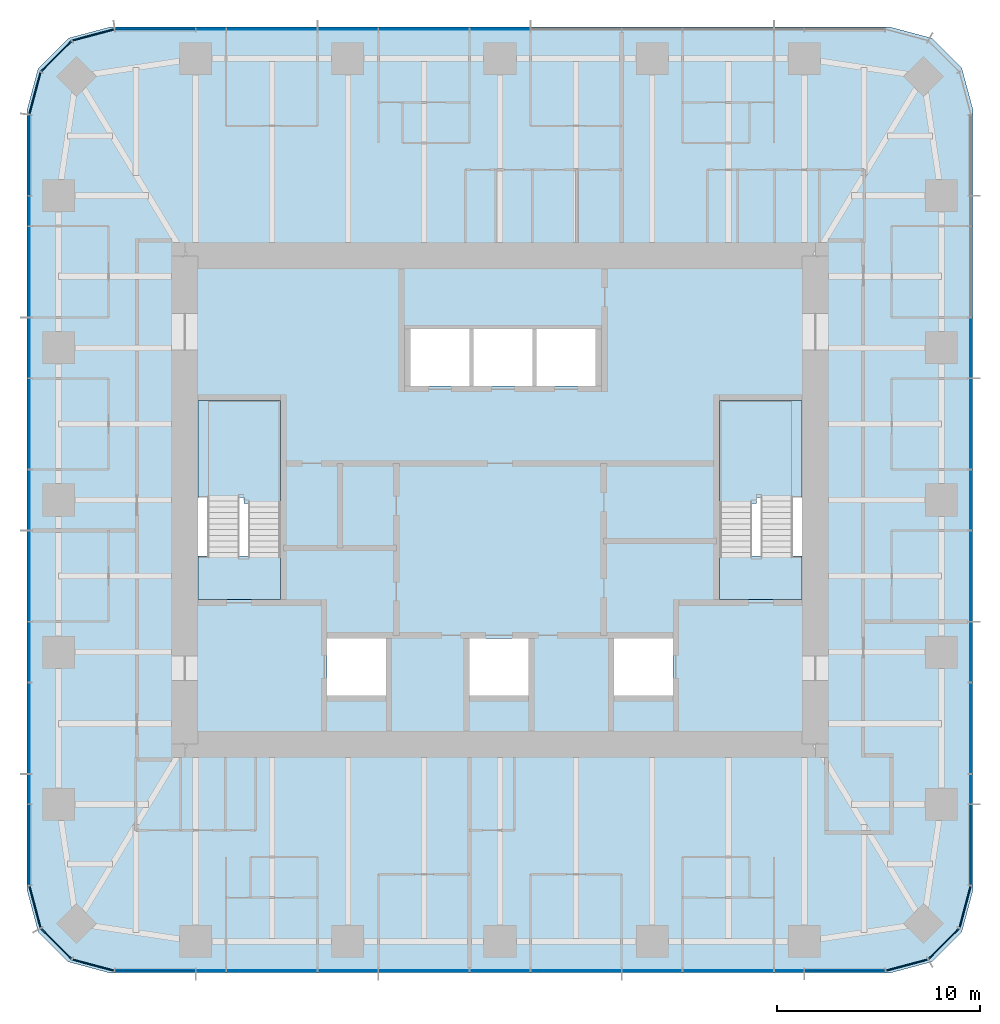
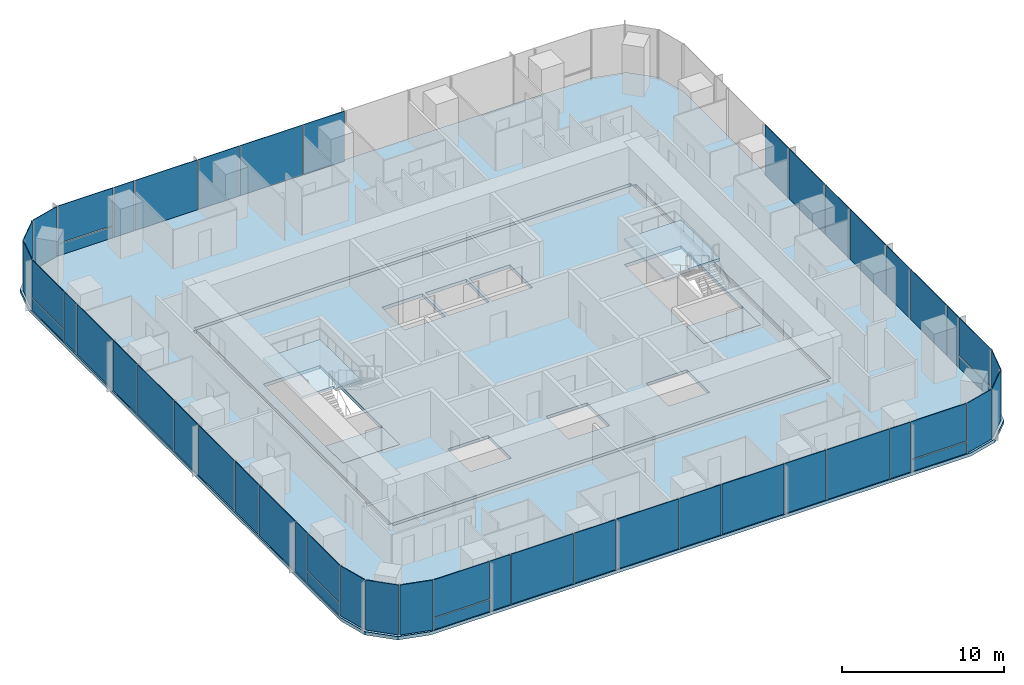
# One storey, part 7 of 12: 51 plates, 6 slabs, 9 elements without a shape of their own.
"""IFC4 building model written with IfcOpenShell, lengths in metres."""

from ifc_helpers import new_model, si_unit, direction, frame, origin, origin_2d, place, context, subcontext, project, spatial, polyline, rectangle, outline, extrude, material, layer, layer_set, type_object, element, aggregate, save


model = new_model("IFC4")

# Units and contexts
model_context = context("Model", 3, precision=1e-05, world=origin(), true_north=direction((0.0, 1.0)))
body_context = subcontext(model_context, "Body", "Model", "MODEL_VIEW")
ifc_project = project(units=[si_unit("LENGTHUNIT", "METRE"), si_unit("AREAUNIT", "SQUARE_METRE"), si_unit("VOLUMEUNIT", "CUBIC_METRE"), si_unit("PLANEANGLEUNIT", "RADIAN"), si_unit("MASSUNIT", "GRAM", prefix="KILO")], contexts=[model_context])

# Site, building, storey
site_placement = place(None, origin())
site = spatial("IfcSite", under=ifc_project, at=site_placement, CompositionType="ELEMENT")
building_placement = place(site_placement, origin())
building = spatial("IfcBuilding", under=site, at=building_placement, Name="Khuree Lantern Residences", CompositionType="ELEMENT")
storey_placement = place(building_placement, frame((0.0, 0.0, 330.75)))
storey = spatial("IfcBuildingStorey", under=building, at=storey_placement, Name="L83", CompositionType="ELEMENT", Elevation=330.75)

# Slab
ifc_material_1 = material(Name="Concrete C35/45", Category="concrete")
ifc_layer_1 = layer(ifc_material_1, 0.25)
ifc_layer_set_1 = layer_set([ifc_layer_1], Name="CFL250 CORE FLOOR SLAB 250")
slab_type_1 = type_object("IfcSlabType", Name="CFL250 CORE FLOOR SLAB 250", PredefinedType="FLOOR", material=ifc_layer_set_1)
slab_1_placement = place(storey_placement, frame((0.0, 0.0, -0.25)))
element("IfcSlab", 1, at=slab_1_placement, inside=storey, type_object=slab_type_1, Name="Core floor L83", PredefinedType="FLOOR", context=body_context, shape_type="SweptSolid", body=[
    extrude(outline(polyline([(-15.5, -12.0), (-15.5, 12.0), (15.5, 12.0), (15.5, -12.0), (-15.5, -12.0)]), holes=[polyline([(10.800048828125, 4.89990234375), (10.800048828125, -4.89990234375), (14.85009765625, -4.89990234375), (14.85009765625, 4.89990234375), (10.800048828125, 4.89990234375)]), polyline([(5.60009765625, -6.800048828125), (5.60009765625, -9.60009765625), (8.5, -9.60009765625), (8.5, -6.800048828125), (5.60009765625, -6.800048828125)]), polyline([(1.800048828125, 8.39990234375), (1.800048828125, 5.60009765625), (4.699951171875, 5.60009765625), (4.699951171875, 8.39990234375), (1.800048828125, 8.39990234375)]), polyline([(-1.300048828125, 8.39990234375), (-1.300048828125, 5.60009765625), (1.60009765625, 5.60009765625), (1.60009765625, 8.39990234375), (-1.300048828125, 8.39990234375)]), polyline([(-1.5, -6.800048828125), (-1.5, -9.60009765625), (1.39990234375, -9.60009765625), (1.39990234375, -6.800048828125), (-1.5, -6.800048828125)]), polyline([(-4.39990234375, 8.39990234375), (-4.39990234375, 5.60009765625), (-1.5, 5.60009765625), (-1.5, 8.39990234375), (-4.39990234375, 8.39990234375)]), polyline([(-8.5, -6.800048828125), (-8.5, -9.60009765625), (-5.60009765625, -9.60009765625), (-5.60009765625, -6.800048828125), (-8.5, -6.800048828125)]), polyline([(-14.85009765625, 4.89990234375), (-14.85009765625, -4.89990234375), (-10.800048828125, -4.89990234375), (-10.800048828125, 4.89990234375), (-14.85009765625, 4.89990234375)])]), origin(), (0.0, 0.0, 1.0), 0.25),
])

# Curtain wall, plates
ifc_material_2 = material(Name="Bronze anodised aluminium", Category="aluminium")
curtain_wall_type_1 = type_object("IfcCurtainWallType", Name="CW-T2 TOWER CORNER CURTAIN WALL", PredefinedType="USERDEFINED", material=ifc_material_2)
curtain_wall_1_placement = place(storey_placement, origin())
curtain_wall_1 = element("IfcCurtainWall", 2, at=curtain_wall_1_placement, inside=storey, type_object=curtain_wall_type_1, Name="L83 SOUTH-EAST CORNER CURTAIN WALL", ObjectType="Faceted corner curtain wall", PredefinedType="USERDEFINED")
ifc_material_3 = material(Name="Bronze tinted triple glazing", Category="glass")
ifc_layer_2 = layer(ifc_material_3, 0.048095703125)
ifc_layer_set_2 = layer_set([ifc_layer_2], Name="FACET PANEL P4")
plate_type_1 = type_object("IfcPlateType", Name="FACET PANEL P4", PredefinedType="CURTAIN_PANEL", material=ifc_layer_set_2)
plate_1_placement = place(storey_placement, frame((19.998046875, -22.869140625, 0.0), z_axis=(0.0, 0.0, 1.0), x_axis=(0.965925861257, 0.2588189146, 0.0)))
plate_1 = element("IfcPlate", 3, at=plate_1_placement, type_object=plate_type_1, Name="L83 SOUTH-EAST CORNER PANEL 1.1", PredefinedType="CURTAIN_PANEL", context=body_context, shape_type="SweptSolid", body=[
    extrude(rectangle(XDim=2.09814453125, YDim=0.048095703125, at=origin_2d()), origin(), (0.0, 0.0, 1.0), 3.75),
])
plate_2_placement = place(storey_placement, frame((21.818603515625, -21.818603515625, 0.0), z_axis=(0.0, 0.0, 1.0), x_axis=(0.707106781187, 0.707106781187, 0.0)))
plate_2 = element("IfcPlate", 4, at=plate_2_placement, type_object=plate_type_1, Name="L83 SOUTH-EAST CORNER PANEL 2.1", PredefinedType="CURTAIN_PANEL", context=body_context, shape_type="SweptSolid", body=[
    extrude(rectangle(XDim=2.093994140625, YDim=0.048095703125, at=origin_2d()), origin(), (0.0, 0.0, 1.0), 3.75),
])
plate_3_placement = place(storey_placement, frame((22.869140625, -19.998046875, 0.0), z_axis=(0.0, 0.0, 1.0), x_axis=(0.2588189146, 0.965925861257, 0.0)))
plate_3 = element("IfcPlate", 5, at=plate_3_placement, type_object=plate_type_1, Name="L83 SOUTH-EAST CORNER PANEL 3.1", PredefinedType="CURTAIN_PANEL", context=body_context, shape_type="SweptSolid", body=[
    extrude(rectangle(XDim=2.09814453125, YDim=0.048095703125, at=origin_2d()), origin(), (0.0, 0.0, 1.0), 3.75),
])
aggregate(curtain_wall_1, [plate_1, plate_2, plate_3])

curtain_wall_2_placement = place(storey_placement, origin())
curtain_wall_2 = element("IfcCurtainWall", 6, at=curtain_wall_2_placement, inside=storey, type_object=curtain_wall_type_1, Name="L83 NORTH-WEST CORNER CURTAIN WALL", ObjectType="Faceted corner curtain wall", PredefinedType="USERDEFINED")
plate_4_placement = place(storey_placement, frame((-19.998046875, 22.869140625, 0.0), z_axis=(0.0, 0.0, 1.0), x_axis=(-0.965925861257, -0.2588189146, 0.0)))
plate_4 = element("IfcPlate", 7, at=plate_4_placement, type_object=plate_type_1, Name="L83 NORTH-WEST CORNER PANEL 29.1", PredefinedType="CURTAIN_PANEL", context=body_context, shape_type="SweptSolid", body=[
    extrude(rectangle(XDim=2.09814453125, YDim=0.048095703125, at=origin_2d()), origin(), (0.0, 0.0, 1.0), 3.75),
])
plate_5_placement = place(storey_placement, frame((-21.818603515625, 21.818603515625, 0.0), z_axis=(0.0, 0.0, 1.0), x_axis=(-0.707106781187, -0.707106781187, 0.0)))
plate_5 = element("IfcPlate", 8, at=plate_5_placement, type_object=plate_type_1, Name="L83 NORTH-WEST CORNER PANEL 30.1", PredefinedType="CURTAIN_PANEL", context=body_context, shape_type="SweptSolid", body=[
    extrude(rectangle(XDim=2.093994140625, YDim=0.048095703125, at=origin_2d()), origin(), (0.0, 0.0, 1.0), 3.75),
])
plate_6_placement = place(storey_placement, frame((-22.869140625, 19.998046875, 0.0), z_axis=(0.0, 0.0, 1.0), x_axis=(-0.2588189146, -0.965925861257, 0.0)))
plate_6 = element("IfcPlate", 9, at=plate_6_placement, type_object=plate_type_1, Name="L83 NORTH-WEST CORNER PANEL 31.1", PredefinedType="CURTAIN_PANEL", context=body_context, shape_type="SweptSolid", body=[
    extrude(rectangle(XDim=2.09814453125, YDim=0.048095703125, at=origin_2d()), origin(), (0.0, 0.0, 1.0), 3.75),
])
aggregate(curtain_wall_2, [plate_4, plate_5, plate_6])

curtain_wall_3_placement = place(storey_placement, origin())
curtain_wall_3 = element("IfcCurtainWall", 10, at=curtain_wall_3_placement, inside=storey, type_object=curtain_wall_type_1, Name="L83 SOUTH-WEST CORNER CURTAIN WALL", ObjectType="Faceted corner curtain wall", PredefinedType="USERDEFINED")
plate_7_placement = place(storey_placement, frame((-22.869140625, -19.998046875, 0.0), z_axis=(0.0, 0.0, 1.0), x_axis=(0.2588189146, -0.965925861257, 0.0)))
plate_7 = element("IfcPlate", 11, at=plate_7_placement, type_object=plate_type_1, Name="L83 SOUTH-WEST CORNER PANEL 43.1", PredefinedType="CURTAIN_PANEL", context=body_context, shape_type="SweptSolid", body=[
    extrude(rectangle(XDim=2.09814453125, YDim=0.048095703125, at=origin_2d()), origin(), (0.0, 0.0, 1.0), 3.75),
])
plate_8_placement = place(storey_placement, frame((-21.818603515625, -21.818603515625, 0.0), z_axis=(0.0, 0.0, 1.0), x_axis=(0.707106781187, -0.707106781187, 0.0)))
plate_8 = element("IfcPlate", 12, at=plate_8_placement, type_object=plate_type_1, Name="L83 SOUTH-WEST CORNER PANEL 44.1", PredefinedType="CURTAIN_PANEL", context=body_context, shape_type="SweptSolid", body=[
    extrude(rectangle(XDim=2.093994140625, YDim=0.048095703125, at=origin_2d()), origin(), (0.0, 0.0, 1.0), 3.75),
])
plate_9_placement = place(storey_placement, frame((-19.998046875, -22.869140625, 0.0), z_axis=(0.0, 0.0, 1.0), x_axis=(0.965925861257, -0.2588189146, 0.0)))
plate_9 = element("IfcPlate", 13, at=plate_9_placement, type_object=plate_type_1, Name="L83 SOUTH-WEST CORNER PANEL 45.1", PredefinedType="CURTAIN_PANEL", context=body_context, shape_type="SweptSolid", body=[
    extrude(rectangle(XDim=2.09814453125, YDim=0.048095703125, at=origin_2d()), origin(), (0.0, 0.0, 1.0), 3.75),
])
aggregate(curtain_wall_3, [plate_7, plate_8, plate_9])

curtain_wall_type_2 = type_object("IfcCurtainWallType", Name="CW-T1 TOWER FACE CURTAIN WALL", PredefinedType="USERDEFINED", material=ifc_material_2)
curtain_wall_4_placement = place(storey_placement, origin())
curtain_wall_4 = element("IfcCurtainWall", 14, at=curtain_wall_4_placement, inside=storey, type_object=curtain_wall_type_2, Name="L83 EAST FACE CURTAIN WALL", ObjectType="Stick-built curtain wall", PredefinedType="USERDEFINED")
ifc_material_4 = material(Name="Bronze tinted triple glazing with a ceramic-fritted spandrel band", Category="glass")
ifc_layer_3 = layer(ifc_material_4, 0.048095703125)
ifc_layer_set_3 = layer_set([ifc_layer_3], Name="FIXED LIGHT PANEL P11")
plate_type_2 = type_object("IfcPlateType", Name="FIXED LIGHT PANEL P11", PredefinedType="CURTAIN_PANEL", material=ifc_layer_set_3)
plate_10_placement = place(storey_placement, frame((23.14990234375, -11.219970703125, 0.0), z_axis=(0.0, 0.0, 1.0), x_axis=(0.0, 1.0, 0.0)))
plate_10 = element("IfcPlate", 15, at=plate_10_placement, type_object=plate_type_2, Name="L83 EAST FACE PANEL 6.1", PredefinedType="CURTAIN_PANEL", context=body_context, shape_type="SweptSolid", body=[
    extrude(rectangle(XDim=4.423095703125, YDim=0.048095703125, at=origin_2d()), origin(), (0.0, 0.0, 1.0), 3.75),
])
plate_11_placement = place(storey_placement, frame((23.14990234375, -3.739990234375, 0.0), z_axis=(0.0, 0.0, 1.0), x_axis=(0.0, 1.0, 0.0)))
plate_11 = element("IfcPlate", 16, at=plate_11_placement, type_object=plate_type_2, Name="L83 EAST FACE PANEL 8.1", PredefinedType="CURTAIN_PANEL", context=body_context, shape_type="SweptSolid", body=[
    extrude(rectangle(XDim=4.423095703125, YDim=0.048095703125, at=origin_2d()), origin(), (0.0, 0.0, 1.0), 3.75),
])
plate_12_placement = place(storey_placement, frame((23.14990234375, 3.739990234375, 0.0), z_axis=(0.0, 0.0, 1.0), x_axis=(0.0, 1.0, 0.0)))
plate_12 = element("IfcPlate", 17, at=plate_12_placement, type_object=plate_type_2, Name="L83 EAST FACE PANEL 10.1", PredefinedType="CURTAIN_PANEL", context=body_context, shape_type="SweptSolid", body=[
    extrude(rectangle(XDim=4.423095703125, YDim=0.048095703125, at=origin_2d()), origin(), (0.0, 0.0, 1.0), 3.75),
])

curtain_wall_5_placement = place(storey_placement, origin())
curtain_wall_5 = element("IfcCurtainWall", 18, at=curtain_wall_5_placement, inside=storey, type_object=curtain_wall_type_2, Name="L83 NORTH FACE CURTAIN WALL", ObjectType="Stick-built curtain wall", PredefinedType="USERDEFINED")
plate_13_placement = place(storey_placement, frame((-3.739990234375, 23.14990234375, 0.0), z_axis=(0.0, 0.0, 1.0), x_axis=(-1.0, 0.0, 0.0)))
plate_13 = element("IfcPlate", 19, at=plate_13_placement, type_object=plate_type_2, Name="L83 NORTH FACE PANEL 24.1", PredefinedType="CURTAIN_PANEL", context=body_context, shape_type="SweptSolid", body=[
    extrude(rectangle(XDim=4.423095703125, YDim=0.048095703125, at=origin_2d()), origin(), (0.0, 0.0, 1.0), 3.75),
])
plate_14_placement = place(storey_placement, frame((-11.219970703125, 23.14990234375, 0.0), z_axis=(0.0, 0.0, 1.0), x_axis=(-1.0, 0.0, 0.0)))
plate_14 = element("IfcPlate", 20, at=plate_14_placement, type_object=plate_type_2, Name="L83 NORTH FACE PANEL 26.1", PredefinedType="CURTAIN_PANEL", context=body_context, shape_type="SweptSolid", body=[
    extrude(rectangle(XDim=4.423095703125, YDim=0.048095703125, at=origin_2d()), origin(), (0.0, 0.0, 1.0), 3.75),
])

curtain_wall_6_placement = place(storey_placement, origin())
curtain_wall_6 = element("IfcCurtainWall", 21, at=curtain_wall_6_placement, inside=storey, type_object=curtain_wall_type_2, Name="L83 WEST FACE CURTAIN WALL", ObjectType="Stick-built curtain wall", PredefinedType="USERDEFINED")
plate_15_placement = place(storey_placement, frame((-23.14990234375, 11.219970703125, 0.0), z_axis=(0.0, 0.0, 1.0), x_axis=(0.0, -1.0, 0.0)))
plate_15 = element("IfcPlate", 22, at=plate_15_placement, type_object=plate_type_2, Name="L83 WEST FACE PANEL 34.1", PredefinedType="CURTAIN_PANEL", context=body_context, shape_type="SweptSolid", body=[
    extrude(rectangle(XDim=4.423095703125, YDim=0.048095703125, at=origin_2d()), origin(), (0.0, 0.0, 1.0), 3.75),
])
plate_16_placement = place(storey_placement, frame((-23.14990234375, 3.739990234375, 0.0), z_axis=(0.0, 0.0, 1.0), x_axis=(0.0, -1.0, 0.0)))
plate_16 = element("IfcPlate", 23, at=plate_16_placement, type_object=plate_type_2, Name="L83 WEST FACE PANEL 36.1", PredefinedType="CURTAIN_PANEL", context=body_context, shape_type="SweptSolid", body=[
    extrude(rectangle(XDim=4.423095703125, YDim=0.048095703125, at=origin_2d()), origin(), (0.0, 0.0, 1.0), 3.75),
])
plate_17_placement = place(storey_placement, frame((-23.14990234375, -3.739990234375, 0.0), z_axis=(0.0, 0.0, 1.0), x_axis=(0.0, -1.0, 0.0)))
plate_17 = element("IfcPlate", 24, at=plate_17_placement, type_object=plate_type_2, Name="L83 WEST FACE PANEL 38.1", PredefinedType="CURTAIN_PANEL", context=body_context, shape_type="SweptSolid", body=[
    extrude(rectangle(XDim=4.423095703125, YDim=0.048095703125, at=origin_2d()), origin(), (0.0, 0.0, 1.0), 3.75),
])
plate_18_placement = place(storey_placement, frame((-23.14990234375, -11.219970703125, 0.0), z_axis=(0.0, 0.0, 1.0), x_axis=(0.0, -1.0, 0.0)))
plate_18 = element("IfcPlate", 25, at=plate_18_placement, type_object=plate_type_2, Name="L83 WEST FACE PANEL 40.1", PredefinedType="CURTAIN_PANEL", context=body_context, shape_type="SweptSolid", body=[
    extrude(rectangle(XDim=4.423095703125, YDim=0.048095703125, at=origin_2d()), origin(), (0.0, 0.0, 1.0), 3.75),
])

curtain_wall_7_placement = place(storey_placement, origin())
curtain_wall_7 = element("IfcCurtainWall", 26, at=curtain_wall_7_placement, inside=storey, type_object=curtain_wall_type_2, Name="L83 SOUTH FACE CURTAIN WALL", ObjectType="Stick-built curtain wall", PredefinedType="USERDEFINED")
plate_19_placement = place(storey_placement, frame((-11.219970703125, -23.14990234375, 0.0), z_axis=(0.0, 0.0, 1.0), x_axis=(1.0, 0.0, 0.0)))
plate_19 = element("IfcPlate", 27, at=plate_19_placement, type_object=plate_type_2, Name="L83 SOUTH FACE PANEL 48.1", PredefinedType="CURTAIN_PANEL", context=body_context, shape_type="SweptSolid", body=[
    extrude(rectangle(XDim=4.423095703125, YDim=0.048095703125, at=origin_2d()), origin(), (0.0, 0.0, 1.0), 3.75),
])
plate_20_placement = place(storey_placement, frame((-3.739990234375, -23.14990234375, 0.0), z_axis=(0.0, 0.0, 1.0), x_axis=(1.0, 0.0, 0.0)))
plate_20 = element("IfcPlate", 28, at=plate_20_placement, type_object=plate_type_2, Name="L83 SOUTH FACE PANEL 50.1", PredefinedType="CURTAIN_PANEL", context=body_context, shape_type="SweptSolid", body=[
    extrude(rectangle(XDim=4.423095703125, YDim=0.048095703125, at=origin_2d()), origin(), (0.0, 0.0, 1.0), 3.75),
])
plate_21_placement = place(storey_placement, frame((3.739990234375, -23.14990234375, 0.0), z_axis=(0.0, 0.0, 1.0), x_axis=(1.0, 0.0, 0.0)))
plate_21 = element("IfcPlate", 29, at=plate_21_placement, type_object=plate_type_2, Name="L83 SOUTH FACE PANEL 52.1", PredefinedType="CURTAIN_PANEL", context=body_context, shape_type="SweptSolid", body=[
    extrude(rectangle(XDim=4.423095703125, YDim=0.048095703125, at=origin_2d()), origin(), (0.0, 0.0, 1.0), 3.75),
])
plate_22_placement = place(storey_placement, frame((11.219970703125, -23.14990234375, 0.0), z_axis=(0.0, 0.0, 1.0), x_axis=(1.0, 0.0, 0.0)))
plate_22 = element("IfcPlate", 30, at=plate_22_placement, type_object=plate_type_2, Name="L83 SOUTH FACE PANEL 54.1", PredefinedType="CURTAIN_PANEL", context=body_context, shape_type="SweptSolid", body=[
    extrude(rectangle(XDim=4.423095703125, YDim=0.048095703125, at=origin_2d()), origin(), (0.0, 0.0, 1.0), 3.75),
])

# Slab
ifc_layer_4 = layer(ifc_material_1, 0.25)
ifc_layer_set_4 = layer_set([ifc_layer_4], Name="FS250 FLOOR SLAB 250")
slab_type_2 = type_object("IfcSlabType", Name="FS250 FLOOR SLAB 250", PredefinedType="FLOOR", material=ifc_layer_set_4)
slab_2_placement = place(storey_placement, frame((0.0, 0.0, -0.25)))
element("IfcSlab", 31, at=slab_2_placement, inside=storey, type_object=slab_type_2, Name="Floor slab L83", PredefinedType="FLOOR", context=body_context, shape_type="SweptSolid", body=[
    extrude(outline(polyline([(-21.22509765625, -22.70751953125), (-22.70751953125, -21.22509765625), (-23.25, -19.199951171875), (-23.25, 19.199951171875), (-22.70751953125, 21.22509765625), (-21.22509765625, 22.70751953125), (-19.199951171875, 23.25), (19.199951171875, 23.25), (21.22509765625, 22.70751953125), (22.70751953125, 21.22509765625), (23.25, 19.199951171875), (23.25, -19.199951171875), (22.70751953125, -21.22509765625), (21.22509765625, -22.70751953125), (19.199951171875, -23.25), (-19.199951171875, -23.25), (-21.22509765625, -22.70751953125)]), holes=[polyline([(15.75, 12.0), (15.5, 12.0), (15.5, 12.25), (-15.5, 12.25), (-15.5, 12.0), (-15.75, 12.0), (-15.75, -12.0), (-15.5, -12.0), (-15.5, -12.25), (15.5, -12.25), (15.5, -12.0), (15.75, -12.0), (15.75, 12.0)])]), origin(), (0.0, 0.0, 1.0), 0.25),
])

# Plate
ifc_material_5 = material(Name="Bronze tinted triple glazing, two aluminium-framed sashes in one frame", Category="aluminium")
ifc_layer_5 = layer(ifc_material_5, 0.048095703125)
ifc_layer_set_5 = layer_set([ifc_layer_5], Name="SASH PAIR PANEL P12")
plate_type_3 = type_object("IfcPlateType", Name="SASH PAIR PANEL P12", PredefinedType="CURTAIN_PANEL", material=ifc_layer_set_5)
plate_23_placement = place(storey_placement, frame((23.14990234375, -7.47998046875, 0.0), z_axis=(0.0, 0.0, 1.0), x_axis=(0.0, 1.0, 0.0)))
plate_23 = element("IfcPlate", 32, at=plate_23_placement, type_object=plate_type_3, Name="L83 EAST FACE PANEL 7.1", PredefinedType="CURTAIN_PANEL", context=body_context, shape_type="SweptSolid", body=[
    extrude(rectangle(XDim=2.927001953125, YDim=0.048095703125, at=origin_2d()), origin(), (0.0, 0.0, 1.0), 3.75),
])

plate_24_placement = place(storey_placement, frame((23.14990234375, 0.0, 0.0), z_axis=(0.0, 0.0, 1.0), x_axis=(0.0, 1.0, 0.0)))
plate_24 = element("IfcPlate", 33, at=plate_24_placement, type_object=plate_type_3, Name="L83 EAST FACE PANEL 9.1", PredefinedType="CURTAIN_PANEL", context=body_context, shape_type="SweptSolid", body=[
    extrude(rectangle(XDim=2.927001953125, YDim=0.048095703125, at=origin_2d()), origin(), (0.0, 0.0, 1.0), 3.75),
])

plate_25_placement = place(storey_placement, frame((23.14990234375, 7.47998046875, 0.0), z_axis=(0.0, 0.0, 1.0), x_axis=(0.0, 1.0, 0.0)))
plate_25 = element("IfcPlate", 34, at=plate_25_placement, type_object=plate_type_3, Name="L83 EAST FACE PANEL 11.1", PredefinedType="CURTAIN_PANEL", context=body_context, shape_type="SweptSolid", body=[
    extrude(rectangle(XDim=2.927001953125, YDim=0.048095703125, at=origin_2d()), origin(), (0.0, 0.0, 1.0), 3.75),
])

plate_26_placement = place(storey_placement, frame((0.0, 23.14990234375, 0.0), z_axis=(0.0, 0.0, 1.0), x_axis=(-1.0, 0.0, 0.0)))
plate_26 = element("IfcPlate", 35, at=plate_26_placement, type_object=plate_type_3, Name="L83 NORTH FACE PANEL 23.1", PredefinedType="CURTAIN_PANEL", context=body_context, shape_type="SweptSolid", body=[
    extrude(rectangle(XDim=2.927001953125, YDim=0.048095703125, at=origin_2d()), origin(), (0.0, 0.0, 1.0), 3.75),
])

plate_27_placement = place(storey_placement, frame((-7.47998046875, 23.14990234375, 0.0), z_axis=(0.0, 0.0, 1.0), x_axis=(-1.0, 0.0, 0.0)))
plate_27 = element("IfcPlate", 36, at=plate_27_placement, type_object=plate_type_3, Name="L83 NORTH FACE PANEL 25.1", PredefinedType="CURTAIN_PANEL", context=body_context, shape_type="SweptSolid", body=[
    extrude(rectangle(XDim=2.927001953125, YDim=0.048095703125, at=origin_2d()), origin(), (0.0, 0.0, 1.0), 3.75),
])

plate_28_placement = place(storey_placement, frame((-23.14990234375, 7.47998046875, 0.0), z_axis=(0.0, 0.0, 1.0), x_axis=(0.0, -1.0, 0.0)))
plate_28 = element("IfcPlate", 37, at=plate_28_placement, type_object=plate_type_3, Name="L83 WEST FACE PANEL 35.1", PredefinedType="CURTAIN_PANEL", context=body_context, shape_type="SweptSolid", body=[
    extrude(rectangle(XDim=2.927001953125, YDim=0.048095703125, at=origin_2d()), origin(), (0.0, 0.0, 1.0), 3.75),
])

plate_29_placement = place(storey_placement, frame((-23.14990234375, 0.0, 0.0), z_axis=(0.0, 0.0, 1.0), x_axis=(0.0, -1.0, 0.0)))
plate_29 = element("IfcPlate", 38, at=plate_29_placement, type_object=plate_type_3, Name="L83 WEST FACE PANEL 37.1", PredefinedType="CURTAIN_PANEL", context=body_context, shape_type="SweptSolid", body=[
    extrude(rectangle(XDim=2.927001953125, YDim=0.048095703125, at=origin_2d()), origin(), (0.0, 0.0, 1.0), 3.75),
])

plate_30_placement = place(storey_placement, frame((-23.14990234375, -7.47998046875, 0.0), z_axis=(0.0, 0.0, 1.0), x_axis=(0.0, -1.0, 0.0)))
plate_30 = element("IfcPlate", 39, at=plate_30_placement, type_object=plate_type_3, Name="L83 WEST FACE PANEL 39.1", PredefinedType="CURTAIN_PANEL", context=body_context, shape_type="SweptSolid", body=[
    extrude(rectangle(XDim=2.927001953125, YDim=0.048095703125, at=origin_2d()), origin(), (0.0, 0.0, 1.0), 3.75),
])

plate_31_placement = place(storey_placement, frame((-7.47998046875, -23.14990234375, 0.0), z_axis=(0.0, 0.0, 1.0), x_axis=(1.0, 0.0, 0.0)))
plate_31 = element("IfcPlate", 40, at=plate_31_placement, type_object=plate_type_3, Name="L83 SOUTH FACE PANEL 49.1", PredefinedType="CURTAIN_PANEL", context=body_context, shape_type="SweptSolid", body=[
    extrude(rectangle(XDim=2.927001953125, YDim=0.048095703125, at=origin_2d()), origin(), (0.0, 0.0, 1.0), 3.75),
])

plate_32_placement = place(storey_placement, frame((0.0, -23.14990234375, 0.0), z_axis=(0.0, 0.0, 1.0), x_axis=(1.0, 0.0, 0.0)))
plate_32 = element("IfcPlate", 41, at=plate_32_placement, type_object=plate_type_3, Name="L83 SOUTH FACE PANEL 51.1", PredefinedType="CURTAIN_PANEL", context=body_context, shape_type="SweptSolid", body=[
    extrude(rectangle(XDim=2.927001953125, YDim=0.048095703125, at=origin_2d()), origin(), (0.0, 0.0, 1.0), 3.75),
])

plate_33_placement = place(storey_placement, frame((7.47998046875, -23.14990234375, 0.0), z_axis=(0.0, 0.0, 1.0), x_axis=(1.0, 0.0, 0.0)))
plate_33 = element("IfcPlate", 42, at=plate_33_placement, type_object=plate_type_3, Name="L83 SOUTH FACE PANEL 53.1", PredefinedType="CURTAIN_PANEL", context=body_context, shape_type="SweptSolid", body=[
    extrude(rectangle(XDim=2.927001953125, YDim=0.048095703125, at=origin_2d()), origin(), (0.0, 0.0, 1.0), 3.75),
])

ifc_material_6 = material(Name="Bronze tinted triple glazing, aluminium-framed sash", Category="aluminium")
ifc_layer_6 = layer(ifc_material_6, 0.048095703125)
ifc_layer_set_6 = layer_set([ifc_layer_6], Name="SASH PANEL P3")
plate_type_4 = type_object("IfcPlateType", Name="SASH PANEL P3", PredefinedType="CURTAIN_PANEL", material=ifc_layer_set_6)
plate_34_placement = place(storey_placement, frame((23.14990234375, -14.2119140625, 0.0), z_axis=(0.0, 0.0, 1.0), x_axis=(0.0, 1.0, 0.0)))
plate_34 = element("IfcPlate", 43, at=plate_34_placement, type_object=plate_type_4, Name="L83 EAST FACE PANEL 5.1", PredefinedType="CURTAIN_PANEL", context=body_context, shape_type="SweptSolid", body=[
    extrude(rectangle(XDim=1.430908203125, YDim=0.048095703125, at=origin_2d()), origin(), (0.0, 0.0, 1.0), 3.75),
])

plate_35_placement = place(storey_placement, frame((-14.2119140625, 23.14990234375, 0.0), z_axis=(0.0, 0.0, 1.0), x_axis=(-1.0, 0.0, 0.0)))
plate_35 = element("IfcPlate", 44, at=plate_35_placement, type_object=plate_type_4, Name="L83 NORTH FACE PANEL 27.1", PredefinedType="CURTAIN_PANEL", context=body_context, shape_type="SweptSolid", body=[
    extrude(rectangle(XDim=1.430908203125, YDim=0.048095703125, at=origin_2d()), origin(), (0.0, 0.0, 1.0), 3.75),
])

plate_36_placement = place(storey_placement, frame((-23.14990234375, 14.2119140625, 0.0), z_axis=(0.0, 0.0, 1.0), x_axis=(0.0, -1.0, 0.0)))
plate_36 = element("IfcPlate", 45, at=plate_36_placement, type_object=plate_type_4, Name="L83 WEST FACE PANEL 33.1", PredefinedType="CURTAIN_PANEL", context=body_context, shape_type="SweptSolid", body=[
    extrude(rectangle(XDim=1.430908203125, YDim=0.048095703125, at=origin_2d()), origin(), (0.0, 0.0, 1.0), 3.75),
])

plate_37_placement = place(storey_placement, frame((-23.14990234375, -14.2119140625, 0.0), z_axis=(0.0, 0.0, 1.0), x_axis=(0.0, -1.0, 0.0)))
plate_37 = element("IfcPlate", 46, at=plate_37_placement, type_object=plate_type_4, Name="L83 WEST FACE PANEL 41.1", PredefinedType="CURTAIN_PANEL", context=body_context, shape_type="SweptSolid", body=[
    extrude(rectangle(XDim=1.430908203125, YDim=0.048095703125, at=origin_2d()), origin(), (0.0, 0.0, 1.0), 3.75),
])

plate_38_placement = place(storey_placement, frame((-14.2119140625, -23.14990234375, 0.0), z_axis=(0.0, 0.0, 1.0), x_axis=(1.0, 0.0, 0.0)))
plate_38 = element("IfcPlate", 47, at=plate_38_placement, type_object=plate_type_4, Name="L83 SOUTH FACE PANEL 47.1", PredefinedType="CURTAIN_PANEL", context=body_context, shape_type="SweptSolid", body=[
    extrude(rectangle(XDim=1.430908203125, YDim=0.048095703125, at=origin_2d()), origin(), (0.0, 0.0, 1.0), 3.75),
])

plate_39_placement = place(storey_placement, frame((14.2119140625, -23.14990234375, 0.0), z_axis=(0.0, 0.0, 1.0), x_axis=(1.0, 0.0, 0.0)))
plate_39 = element("IfcPlate", 48, at=plate_39_placement, type_object=plate_type_4, Name="L83 SOUTH FACE PANEL 55.1", PredefinedType="CURTAIN_PANEL", context=body_context, shape_type="SweptSolid", body=[
    extrude(rectangle(XDim=1.430908203125, YDim=0.048095703125, at=origin_2d()), origin(), (0.0, 0.0, 1.0), 3.75),
])

ifc_material_7 = material(Name="Bronze anodised aluminium insulated spandrel", Category="aluminium")
ifc_layer_7 = layer(ifc_material_7, 0.06005859375)
ifc_layer_set_7 = layer_set([ifc_layer_7], Name="SPANDREL PANEL P2")
plate_type_5 = type_object("IfcPlateType", Name="SPANDREL PANEL P2", PredefinedType="CURTAIN_PANEL", material=ifc_layer_set_7)
plate_40_placement = place(storey_placement, frame((23.14990234375, -16.952880859375, 0.0), z_axis=(0.0, 0.0, 1.0), x_axis=(0.0, 1.0, 0.0)))
plate_40 = element("IfcPlate", 49, at=plate_40_placement, type_object=plate_type_5, Name="L83 EAST FACE PANEL 4.1", PredefinedType="CURTAIN_PANEL", context=body_context, shape_type="SweptSolid", body=[
    extrude(rectangle(XDim=3.920654296875, YDim=0.06005859375, at=origin_2d()), origin(), (0.0, 0.0, 1.0), 0.867431640625),
])

plate_41_placement = place(storey_placement, frame((-16.952880859375, 23.14990234375, 0.0), z_axis=(0.0, 0.0, 1.0), x_axis=(-1.0, 0.0, 0.0)))
plate_41 = element("IfcPlate", 50, at=plate_41_placement, type_object=plate_type_5, Name="L83 NORTH FACE PANEL 28.1", PredefinedType="CURTAIN_PANEL", context=body_context, shape_type="SweptSolid", body=[
    extrude(rectangle(XDim=3.920654296875, YDim=0.06005859375, at=origin_2d()), origin(), (0.0, 0.0, 1.0), 0.867431640625),
])

plate_42_placement = place(storey_placement, frame((-23.14990234375, 16.952880859375, 0.0), z_axis=(0.0, 0.0, 1.0), x_axis=(0.0, -1.0, 0.0)))
plate_42 = element("IfcPlate", 51, at=plate_42_placement, type_object=plate_type_5, Name="L83 WEST FACE PANEL 32.1", PredefinedType="CURTAIN_PANEL", context=body_context, shape_type="SweptSolid", body=[
    extrude(rectangle(XDim=3.920654296875, YDim=0.06005859375, at=origin_2d()), origin(), (0.0, 0.0, 1.0), 0.867431640625),
])

plate_43_placement = place(storey_placement, frame((-23.14990234375, -16.952880859375, 0.0), z_axis=(0.0, 0.0, 1.0), x_axis=(0.0, -1.0, 0.0)))
plate_43 = element("IfcPlate", 52, at=plate_43_placement, type_object=plate_type_5, Name="L83 WEST FACE PANEL 42.1", PredefinedType="CURTAIN_PANEL", context=body_context, shape_type="SweptSolid", body=[
    extrude(rectangle(XDim=3.920654296875, YDim=0.06005859375, at=origin_2d()), origin(), (0.0, 0.0, 1.0), 0.867431640625),
])

plate_44_placement = place(storey_placement, frame((-16.952880859375, -23.14990234375, 0.0), z_axis=(0.0, 0.0, 1.0), x_axis=(1.0, 0.0, 0.0)))
plate_44 = element("IfcPlate", 53, at=plate_44_placement, type_object=plate_type_5, Name="L83 SOUTH FACE PANEL 46.1", PredefinedType="CURTAIN_PANEL", context=body_context, shape_type="SweptSolid", body=[
    extrude(rectangle(XDim=3.920654296875, YDim=0.06005859375, at=origin_2d()), origin(), (0.0, 0.0, 1.0), 0.867431640625),
])

plate_45_placement = place(storey_placement, frame((16.952880859375, -23.14990234375, 0.0), z_axis=(0.0, 0.0, 1.0), x_axis=(1.0, 0.0, 0.0)))
plate_45 = element("IfcPlate", 54, at=plate_45_placement, type_object=plate_type_5, Name="L83 SOUTH FACE PANEL 56.1", PredefinedType="CURTAIN_PANEL", context=body_context, shape_type="SweptSolid", body=[
    extrude(rectangle(XDim=3.920654296875, YDim=0.06005859375, at=origin_2d()), origin(), (0.0, 0.0, 1.0), 0.867431640625),
])

# Stair, slabs
ifc_material_8 = material(Name="Concrete C40/50", Category="concrete")
stair_type = type_object("IfcStairType", Name="STAIR ST1 HALF TURN 3600", PredefinedType="HALF_TURN_STAIR", material=ifc_material_8)
stair_1_placement = place(storey_placement, origin())
stair_1 = element("IfcStair", 55, at=stair_1_placement, inside=storey, type_object=stair_type, Name="Stair ST1", PredefinedType="HALF_TURN_STAIR")
ifc_layer_8 = layer(ifc_material_8, 0.199951171875)
ifc_layer_set_8 = layer_set([ifc_layer_8], Name="STAIR LANDING SL1 200")
slab_type_3 = type_object("IfcSlabType", Name="STAIR LANDING SL1 200", PredefinedType="LANDING", material=ifc_layer_set_8)
slab_3_placement = place(storey_placement, frame((0.0, 0.0, -0.199951171875)))
slab_3 = element("IfcSlab", 56, at=slab_3_placement, type_object=slab_type_3, Name="ST1 landing 1", PredefinedType="LANDING", context=body_context, shape_type="SweptSolid", body=[
    extrude(outline(polyline([(-14.85009765625, -4.89990234375), (-10.800048828125, -4.89990234375), (-10.800048828125, -2.760009765625), (-14.85009765625, -2.760009765625), (-14.85009765625, -4.89990234375)])), origin(), (0.0, 0.0, 1.0), 0.199951171875),
])
slab_4_placement = place(storey_placement, frame((0.0, 0.0, 1.756591796875)))
slab_4 = element("IfcSlab", 57, at=slab_4_placement, type_object=slab_type_3, Name="ST1 landing 2", PredefinedType="LANDING", context=body_context, shape_type="SweptSolid", body=[
    extrude(outline(polyline([(-14.85009765625, 0.1201171875), (-14.85009765625, 4.89990234375), (-10.800048828125, 4.89990234375), (-10.800048828125, -0.159912109375), (-12.60009765625, -0.159912109375), (-12.60009765625, 0.1201171875), (-14.85009765625, 0.1201171875)])), origin(), (0.0, 0.0, 1.0), 0.199951171875),
])
aggregate(stair_1, [slab_3, slab_4])

stair_2_placement = place(storey_placement, origin())
stair_2 = element("IfcStair", 58, at=stair_2_placement, inside=storey, type_object=stair_type, Name="Stair ST2", PredefinedType="HALF_TURN_STAIR")
slab_5_placement = place(storey_placement, frame((0.0, 0.0, -0.199951171875)))
slab_5 = element("IfcSlab", 59, at=slab_5_placement, type_object=slab_type_3, Name="ST2 landing 1", PredefinedType="LANDING", context=body_context, shape_type="SweptSolid", body=[
    extrude(outline(polyline([(10.800048828125, -4.89990234375), (14.85009765625, -4.89990234375), (14.85009765625, -2.760009765625), (10.800048828125, -2.760009765625), (10.800048828125, -4.89990234375)])), origin(), (0.0, 0.0, 1.0), 0.199951171875),
])
slab_6_placement = place(storey_placement, frame((0.0, 0.0, 1.756591796875)))
slab_6 = element("IfcSlab", 60, at=slab_6_placement, type_object=slab_type_3, Name="ST2 landing 2", PredefinedType="LANDING", context=body_context, shape_type="SweptSolid", body=[
    extrude(outline(polyline([(14.85009765625, 4.89990234375), (14.85009765625, 0.1201171875), (12.60009765625, 0.1201171875), (12.60009765625, -0.159912109375), (10.800048828125, -0.159912109375), (10.800048828125, 4.89990234375), (14.85009765625, 4.89990234375)])), origin(), (0.0, 0.0, 1.0), 0.199951171875),
])
aggregate(stair_2, [slab_5, slab_6])

# Plate
ifc_layer_9 = layer(ifc_material_3, 0.048095703125)
ifc_layer_set_9 = layer_set([ifc_layer_9], Name="VISION PANEL P1")
plate_type_6 = type_object("IfcPlateType", Name="VISION PANEL P1", PredefinedType="CURTAIN_PANEL", material=ifc_layer_set_9)
plate_46_placement = place(storey_placement, frame((23.14990234375, -16.953369140625, 0.9326171875), z_axis=(0.0, 0.0, 1.0), x_axis=(0.0, 1.0, 0.0)))
plate_46 = element("IfcPlate", 61, at=plate_46_placement, type_object=plate_type_6, Name="L83 EAST FACE PANEL 4.2", PredefinedType="CURTAIN_PANEL", context=body_context, shape_type="SweptSolid", body=[
    extrude(rectangle(XDim=3.921630859375, YDim=0.048095703125, at=origin_2d()), origin(), (0.0, 0.0, 1.0), 2.8173828125),
])

aggregate(curtain_wall_4, [plate_40, plate_46, plate_34, plate_10, plate_23, plate_11, plate_24, plate_12, plate_25])

plate_47_placement = place(storey_placement, frame((-16.953369140625, 23.14990234375, 0.9326171875), z_axis=(0.0, 0.0, 1.0), x_axis=(-1.0, 0.0, 0.0)))
plate_47 = element("IfcPlate", 62, at=plate_47_placement, type_object=plate_type_6, Name="L83 NORTH FACE PANEL 28.2", PredefinedType="CURTAIN_PANEL", context=body_context, shape_type="SweptSolid", body=[
    extrude(rectangle(XDim=3.921630859375, YDim=0.048095703125, at=origin_2d()), origin(), (0.0, 0.0, 1.0), 2.8173828125),
])

aggregate(curtain_wall_5, [plate_26, plate_13, plate_27, plate_14, plate_35, plate_41, plate_47])

plate_48_placement = place(storey_placement, frame((-23.14990234375, 16.953369140625, 0.9326171875), z_axis=(0.0, 0.0, 1.0), x_axis=(0.0, -1.0, 0.0)))
plate_48 = element("IfcPlate", 63, at=plate_48_placement, type_object=plate_type_6, Name="L83 WEST FACE PANEL 32.2", PredefinedType="CURTAIN_PANEL", context=body_context, shape_type="SweptSolid", body=[
    extrude(rectangle(XDim=3.921630859375, YDim=0.048095703125, at=origin_2d()), origin(), (0.0, 0.0, 1.0), 2.8173828125),
])

plate_49_placement = place(storey_placement, frame((-23.14990234375, -16.953369140625, 0.9326171875), z_axis=(0.0, 0.0, 1.0), x_axis=(0.0, -1.0, 0.0)))
plate_49 = element("IfcPlate", 64, at=plate_49_placement, type_object=plate_type_6, Name="L83 WEST FACE PANEL 42.2", PredefinedType="CURTAIN_PANEL", context=body_context, shape_type="SweptSolid", body=[
    extrude(rectangle(XDim=3.921630859375, YDim=0.048095703125, at=origin_2d()), origin(), (0.0, 0.0, 1.0), 2.8173828125),
])

aggregate(curtain_wall_6, [plate_42, plate_48, plate_36, plate_15, plate_28, plate_16, plate_29, plate_17, plate_30, plate_18, plate_37, plate_43, plate_49])

plate_50_placement = place(storey_placement, frame((-16.953369140625, -23.14990234375, 0.9326171875), z_axis=(0.0, 0.0, 1.0), x_axis=(1.0, 0.0, 0.0)))
plate_50 = element("IfcPlate", 65, at=plate_50_placement, type_object=plate_type_6, Name="L83 SOUTH FACE PANEL 46.2", PredefinedType="CURTAIN_PANEL", context=body_context, shape_type="SweptSolid", body=[
    extrude(rectangle(XDim=3.921630859375, YDim=0.048095703125, at=origin_2d()), origin(), (0.0, 0.0, 1.0), 2.8173828125),
])

plate_51_placement = place(storey_placement, frame((16.953369140625, -23.14990234375, 0.9326171875), z_axis=(0.0, 0.0, 1.0), x_axis=(1.0, 0.0, 0.0)))
plate_51 = element("IfcPlate", 66, at=plate_51_placement, type_object=plate_type_6, Name="L83 SOUTH FACE PANEL 56.2", PredefinedType="CURTAIN_PANEL", context=body_context, shape_type="SweptSolid", body=[
    extrude(rectangle(XDim=3.921630859375, YDim=0.048095703125, at=origin_2d()), origin(), (0.0, 0.0, 1.0), 2.8173828125),
])

aggregate(curtain_wall_7, [plate_44, plate_50, plate_38, plate_19, plate_31, plate_20, plate_32, plate_21, plate_33, plate_22, plate_39, plate_45, plate_51])

save(model, "model.ifc")
